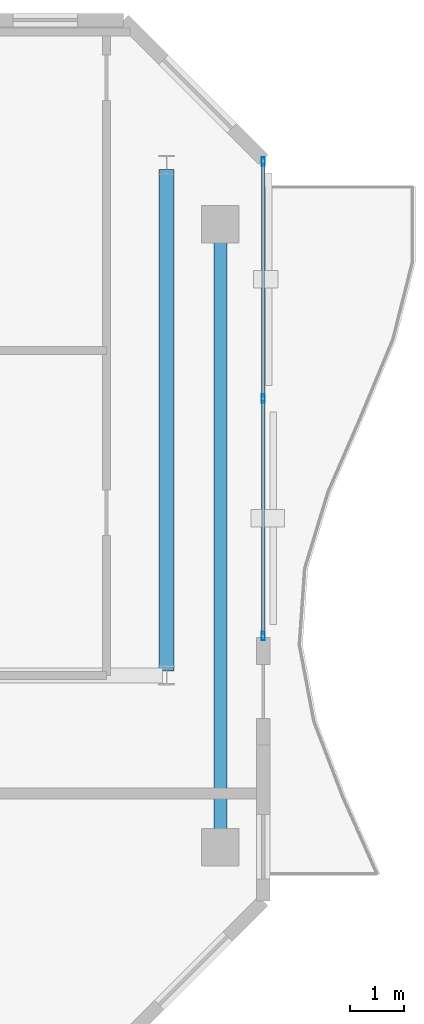
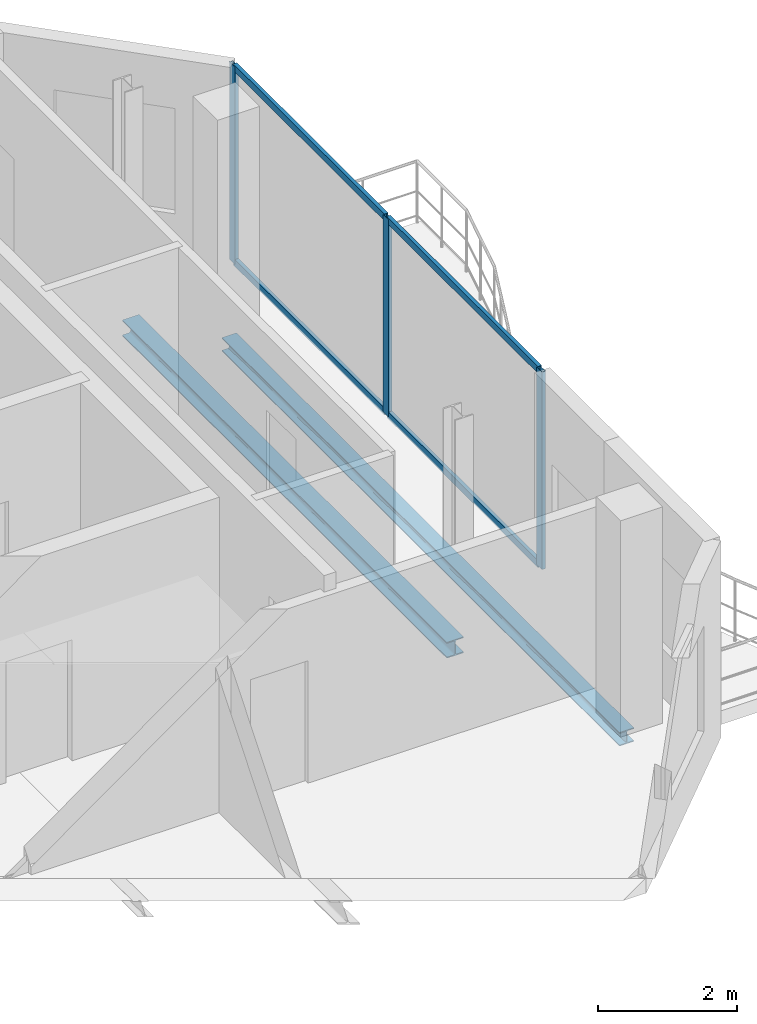
# One storey, part 10 of 16: 7 members, 2 beams, 1 element without a shape of its own.
"""IFC4 building model written with IfcOpenShell, lengths in metres."""

import ifcopenshell
import ifcopenshell.guid

model = None  # the IFC model being written
_history = None  # IfcOwnerHistory: only IFC2X3 demands one
_inside = {}  # id of a spatial element -> (the spatial element, [elements in it])
_under = {}  # id of a project, library or spatial element -> (it, [spatial elements below it])
_declared = {}  # id of a project -> (the project, [libraries it declares])
_typed = {}  # id of a type object -> (the type object, [elements of that type])
_made_of = {}  # id of a material, layer set ... -> (it, [elements and type objects made of it])


def new_model(schema):
    """Start an empty IFC model of exactly this schema.

    Asked for "IFC4X3", IfcOpenShell would pick the latest addendum, in which some entities
    have other attributes; the version numbers below select the first issue.
    IFC2X3 requires an IfcOwnerHistory on every rooted entity: one is made here for all.
    """
    global model, _history
    if schema == "IFC4X3":
        model = ifcopenshell.file(schema_version=(4, 3, 0, 0))
    else:
        model = ifcopenshell.file(schema=schema)
    _inside.clear()
    _under.clear()
    _declared.clear()
    _typed.clear()
    _made_of.clear()
    _history = None
    if model.schema == "IFC2X3":
        org = make("IfcOrganization", Name="unknown")
        user = make(
            "IfcPersonAndOrganization",
            ThePerson=make("IfcPerson", FamilyName="unknown"),
            TheOrganization=org,
        )
        app = make(
            "IfcApplication",
            ApplicationDeveloper=org,
            Version="unknown",
            ApplicationFullName="unknown",
            ApplicationIdentifier="unknown",
        )
        _history = make(
            "IfcOwnerHistory",
            OwningUser=user,
            OwningApplication=app,
            ChangeAction="ADDED",
            CreationDate=0,
        )
    return model


def make(cls, **values):
    """One entity of the class cls with the attributes given. An attribute that is None is left unset."""
    return model.create_entity(
        cls, **{name: value for name, value in values.items() if value is not None}
    )


def rooted(cls, **values):
    """An entity with a GlobalId (a new one), such as an element, a storey or a relation."""
    return make(cls, GlobalId=ifcopenshell.guid.new(), OwnerHistory=_history, **values)


def si_unit(unit_type, name, prefix=None):
    """IfcSIUnit, for example si_unit("LENGTHUNIT", "METRE", prefix="MILLI")."""
    return make("IfcSIUnit", UnitType=unit_type, Prefix=prefix, Name=name)


def assignment(units):
    """IfcUnitAssignment: the units of a project."""
    return None if units is None else make("IfcUnitAssignment", Units=units)


def point(xyz):
    """IfcCartesianPoint."""
    return None if xyz is None else make("IfcCartesianPoint", Coordinates=xyz)


def direction(xyz):
    """IfcDirection."""
    return None if xyz is None else make("IfcDirection", DirectionRatios=xyz)


def frame(location, z_axis=None, x_axis=None):
    """IfcAxis2Placement3D, a coordinate frame: its origin and axes. An axis left out is left unset."""
    return make(
        "IfcAxis2Placement3D",
        Location=point(location),
        Axis=direction(z_axis),
        RefDirection=direction(x_axis),
    )


def frame_2d(location, x_axis=None):
    """IfcAxis2Placement2D, a coordinate frame in the plane: its origin and x axis."""
    return make(
        "IfcAxis2Placement2D", Location=point(location), RefDirection=direction(x_axis)
    )


def origin():
    """The frame at (0, 0, 0) with its axes left unset."""
    return frame((0.0, 0.0, 0.0))


def origin_2d():
    """The frame at (0, 0) in the plane with its x axis left unset."""
    return frame_2d((0.0, 0.0))


def place(relative_to, where):
    """IfcLocalPlacement: puts the frame where relative to a parent placement (None: the world)."""
    return make(
        "IfcLocalPlacement", PlacementRelTo=relative_to, RelativePlacement=where
    )


def context(
    kind, dimensions, precision=None, world=None, true_north=None, identifier=None
):
    """IfcGeometricRepresentationContext, for example the 3D "Model" context."""
    return make(
        "IfcGeometricRepresentationContext",
        ContextIdentifier=identifier,
        ContextType=kind,
        CoordinateSpaceDimension=dimensions,
        Precision=precision,
        WorldCoordinateSystem=world,
        TrueNorth=true_north,
    )


def subcontext(parent, identifier, kind, view, scale=None):
    """IfcGeometricRepresentationSubContext, for example "Body" below "Model"."""
    return make(
        "IfcGeometricRepresentationSubContext",
        ContextIdentifier=identifier,
        ContextType=kind,
        ParentContext=parent,
        TargetScale=scale,
        TargetView=view,
    )


def project(units=None, contexts=None):
    """IfcProject with its units and contexts."""
    return rooted(
        "IfcProject",
        Name="project",
        RepresentationContexts=contexts,
        UnitsInContext=assignment(units),
    )


def spatial(cls, under=None, at=None, **own):
    """A site, building, storey or space (cls), placed at a placement, below another one or the project."""
    s = rooted(cls, ObjectPlacement=at, **own)
    if under is not None:
        _under.setdefault(under.id(), (under, []))[1].append(s)
    return s


def profile(cls, at=None, kind="AREA", **sizes):
    """A parametric profile (cls). Its sizes go by their IFC names, for example OverallWidth=200.0."""
    return make(cls, ProfileType=kind, Position=at, **sizes)


def hollow_rectangle(**sizes):
    """IfcRectangleHollowProfileDef."""
    return profile("IfcRectangleHollowProfileDef", **sizes)


def i_section(**sizes):
    """IfcIShapeProfileDef."""
    return profile("IfcIShapeProfileDef", **sizes)


def extrude(swept, where, along, depth):
    """IfcExtrudedAreaSolid: the profile swept, set in the frame where, extruded along a direction by depth."""
    return make(
        "IfcExtrudedAreaSolid",
        SweptArea=swept,
        Position=where,
        ExtrudedDirection=direction(along),
        Depth=depth,
    )


def shape(context_of_items, identifier, shape_type, items):
    """IfcShapeRepresentation: the items that make up one representation, for example the "Body"."""
    return make(
        "IfcShapeRepresentation",
        ContextOfItems=context_of_items,
        RepresentationIdentifier=identifier,
        RepresentationType=shape_type,
        Items=items,
    )


def material(Name=None, Category=None):
    """IfcMaterial."""
    return make("IfcMaterial", Name=Name, Category=Category)


def layer(
    of_material, thickness, ventilated=None, Name=None, Category=None, Priority=None
):
    """IfcMaterialLayer: one layer of a wall or slab, of a material (None: an air gap)."""
    return make(
        "IfcMaterialLayer",
        Material=of_material,
        LayerThickness=thickness,
        IsVentilated=ventilated,
        Name=Name,
        Category=Category,
        Priority=Priority,
    )


def layer_set(layers, Name=None):
    """IfcMaterialLayerSet."""
    return make("IfcMaterialLayerSet", MaterialLayers=layers, LayerSetName=Name)


def material_profile(
    of_material, cross_section, Name=None, Category=None, Priority=None
):
    """IfcMaterialProfile: a cross section and its material."""
    return make(
        "IfcMaterialProfile",
        Name=Name,
        Material=of_material,
        Profile=cross_section,
        Priority=Priority,
        Category=Category,
    )


def profile_set(profiles, Name=None, composite=None):
    """IfcMaterialProfileSet."""
    return make(
        "IfcMaterialProfileSet",
        Name=Name,
        MaterialProfiles=profiles,
        CompositeProfile=composite,
    )


def made_of(thing, what):
    """Note that an element or type object is made of a material, layer set ...; save() writes the relation."""
    if what is not None:
        _made_of.setdefault(what.id(), (what, []))[1].append(thing)
    return thing


def type_object(cls, material=None, **own):
    """A type object (cls), such as IfcWallType, which elements share."""
    return made_of(rooted(cls, **own), material)


def element(
    cls,
    number,
    at=None,
    inside=None,
    cuts=None,
    type_object=None,
    material=None,
    context=None,
    identifier="Body",
    shape_type=None,
    held_by="IfcProductDefinitionShape",
    body=None,
    shapes=None,
    **own,
):
    """One element of the class cls, such as IfcWall. Its Tag is "e" and its number.

    at: its placement. inside: the storey or other place that contains it. cuts: it is an
    opening in that element (IfcRelVoidsElement). A single representation is given by context,
    identifier, shape_type and body (its items); several are given by shapes. held_by: the class
    of the entity that holds the representations. save() writes the other relations.
    """
    e = rooted(cls, Tag="e%d" % number, ObjectPlacement=at, **own)
    if body is not None:
        shapes = [shape(context, identifier, shape_type, body)]
    if shapes is not None:
        e.Representation = make(held_by, Representations=shapes)
    if inside is not None:
        _inside.setdefault(inside.id(), (inside, []))[1].append(e)
    if cuts is not None:
        rooted(
            "IfcRelVoidsElement", RelatingBuildingElement=cuts, RelatedOpeningElement=e
        )
    if type_object is not None:
        _typed.setdefault(type_object.id(), (type_object, []))[1].append(e)
    return made_of(e, material)


def aggregate(whole, parts):
    """IfcRelAggregates: a whole, such as a stair, and the parts it consists of."""
    return rooted("IfcRelAggregates", RelatingObject=whole, RelatedObjects=parts)


def save(model, path):
    """Write the relations noted so far, then the file.

    IfcRelAggregates (storeys below a building ...), IfcRelContainedInSpatialStructure (elements
    in a storey), IfcRelDefinesByType, IfcRelAssociatesMaterial and IfcRelDeclares: one each for
    every whole, place, type object, material and project.
    """
    for whole, parts in _under.values():
        aggregate(whole, parts)
    for where, things in _inside.values():
        rooted(
            "IfcRelContainedInSpatialStructure",
            RelatedElements=things,
            RelatingStructure=where,
        )
    for kind, things in _typed.values():
        rooted("IfcRelDefinesByType", RelatedObjects=things, RelatingType=kind)
    for what, things in _made_of.values():
        rooted("IfcRelAssociatesMaterial", RelatedObjects=things, RelatingMaterial=what)
    for by, libraries in _declared.values():
        rooted("IfcRelDeclares", RelatingContext=by, RelatedDefinitions=libraries)
    model.write(path)


model = new_model("IFC4")

# Units and contexts
model_context = context("Model", 3, precision=1e-05, world=origin(), true_north=direction((0.0, 1.0)))
body_context = subcontext(model_context, "Body", "Model", "MODEL_VIEW")
ifc_project = project(units=[si_unit("LENGTHUNIT", "METRE"), si_unit("AREAUNIT", "SQUARE_METRE"), si_unit("VOLUMEUNIT", "CUBIC_METRE"), si_unit("PLANEANGLEUNIT", "RADIAN"), si_unit("MASSUNIT", "GRAM", prefix="KILO")], contexts=[model_context])

# Site, building, storey
site_placement = place(None, origin())
site = spatial("IfcSite", under=ifc_project, at=site_placement, CompositionType="ELEMENT")
building_placement = place(site_placement, origin())
building = spatial("IfcBuilding", under=site, at=building_placement, Name="Catumbela Crestline Tower", CompositionType="ELEMENT")
storey_placement = place(building_placement, frame((0.0, 0.0, 286.8)))
storey = spatial("IfcBuildingStorey", under=building, at=storey_placement, Name="L74", CompositionType="ELEMENT", Elevation=286.8)

# Beam
ifc_material_1 = material(Name="Structural steel S355J2", Category="steel")
ifc_material_profile_1 = material_profile(ifc_material_1, i_section(OverallWidth=0.28, OverallDepth=0.28, WebThickness=0.0105, FlangeThickness=0.018, FilletRadius=0.024, at=origin_2d()), Name="HEB 280")
ifc_profile_set_1 = profile_set([ifc_material_profile_1], Name="Structural steel S355J2")
beam_type_1 = type_object("IfcBeamType", Name="BG-HEB280", PredefinedType="BEAM", material=ifc_profile_set_1)
beam_1_placement = place(storey_placement, frame((44.2, 30.88, -0.4), z_axis=(0.0, 1.0, 0.0), x_axis=(-1.0, 0.0, 0.0)))
element("IfcBeam", 1, at=beam_1_placement, inside=storey, type_object=beam_type_1, Name="L74 Beam BM-L74-SN10", PredefinedType="BEAM", context=body_context, shape_type="SweptSolid", body=[
    extrude(i_section(OverallWidth=0.28, OverallDepth=0.28, WebThickness=0.0105, FlangeThickness=0.018, FilletRadius=0.024, at=origin_2d()), origin(), (0.0, 0.0, 1.0), 9.34),
])

# Curtain wall, members
ifc_material_2 = material(Name="Aluminium alloy AW-6060-T66", Category="aluminium")
ifc_layer = layer(ifc_material_2, 0.18, Name="Aluminium alloy AW-6060-T66")
ifc_layer_set = layer_set([ifc_layer], Name="Aluminium alloy AW-6060-T66")
curtain_wall_type = type_object("IfcCurtainWallType", Name="CWU-Z4", PredefinedType="USERDEFINED", material=ifc_layer_set)
curtain_wall_placement = place(storey_placement, origin())
curtain_wall = element("IfcCurtainWall", 2, at=curtain_wall_placement, inside=storey, type_object=curtain_wall_type, Name="L74 Unitised Curtain Wall CW-L74-E5S2", ObjectType="UNITISED", PredefinedType="USERDEFINED")
ifc_material_profile_2 = material_profile(ifc_material_2, hollow_rectangle(XDim=0.06, YDim=0.16, WallThickness=0.004, at=origin_2d()), Name="ALU 160x60x4")
ifc_profile_set_2 = profile_set([ifc_material_profile_2], Name="Aluminium alloy AW-6060-T66")
member_type_1 = type_object("IfcMemberType", Name="MUL-160X60", PredefinedType="MULLION", material=ifc_profile_set_2)
member_1_placement = place(storey_placement, frame((46.0, 31.5325, 0.0), z_axis=(0.0, 0.0, 1.0), x_axis=(-1.0, 0.0, 0.0)))
member_1 = element("IfcMember", 3, at=member_1_placement, type_object=member_type_1, Name="CWU-Z4 mullion 1", PredefinedType="MULLION", context=body_context, shape_type="SweptSolid", body=[
    extrude(hollow_rectangle(XDim=0.06, YDim=0.16, WallThickness=0.004, at=origin_2d()), origin(), (0.0, 0.0, 1.0), 3.47),
])
member_2_placement = place(storey_placement, frame((46.0, 35.95, 0.0), z_axis=(0.0, 0.0, 1.0), x_axis=(-1.0, 0.0, 0.0)))
member_2 = element("IfcMember", 4, at=member_2_placement, type_object=member_type_1, Name="CWU-Z4 mullion 2", PredefinedType="MULLION", context=body_context, shape_type="SweptSolid", body=[
    extrude(hollow_rectangle(XDim=0.06, YDim=0.16, WallThickness=0.004, at=origin_2d()), origin(), (0.0, 0.0, 1.0), 3.47),
])
member_3_placement = place(storey_placement, frame((46.0, 40.3675, 0.0), z_axis=(0.0, 0.0, 1.0), x_axis=(-1.0, 0.0, 0.0)))
member_3 = element("IfcMember", 5, at=member_3_placement, type_object=member_type_1, Name="CWU-Z4 mullion 3", PredefinedType="MULLION", context=body_context, shape_type="SweptSolid", body=[
    extrude(hollow_rectangle(XDim=0.06, YDim=0.16, WallThickness=0.004, at=origin_2d()), origin(), (0.0, 0.0, 1.0), 3.47),
])

# Beam
ifc_material_profile_3 = material_profile(ifc_material_1, i_section(OverallWidth=0.24, OverallDepth=0.24, WebThickness=0.01, FlangeThickness=0.017, FilletRadius=0.021, at=origin_2d()), Name="HEB 240")
ifc_profile_set_3 = profile_set([ifc_material_profile_3], Name="Structural steel S355J2")
beam_type_2 = type_object("IfcBeamType", Name="BS-HEB240", PredefinedType="SPANDREL", material=ifc_profile_set_3)
beam_2_placement = place(storey_placement, frame((45.2, 27.68, -0.38), z_axis=(0.0, 1.0, 0.0), x_axis=(-1.0, 0.0, 0.0)))
element("IfcBeam", 6, at=beam_2_placement, inside=storey, type_object=beam_type_2, Name="L74 Spandrel SP-L74-SN11", PredefinedType="SPANDREL", context=body_context, shape_type="SweptSolid", body=[
    extrude(i_section(OverallWidth=0.24, OverallDepth=0.24, WebThickness=0.01, FlangeThickness=0.017, FilletRadius=0.021, at=origin_2d()), origin(), (0.0, 0.0, 1.0), 11.44),
])

# Member
ifc_material_profile_4 = material_profile(ifc_material_2, hollow_rectangle(XDim=0.06, YDim=0.12, WallThickness=0.0035, at=origin_2d()), Name="ALU 120x60x3.5")
ifc_profile_set_4 = profile_set([ifc_material_profile_4], Name="Aluminium alloy AW-6060-T66")
member_type_2 = type_object("IfcMemberType", Name="TRN-120X60", PredefinedType="USERDEFINED", material=ifc_profile_set_4)
member_4_placement = place(storey_placement, frame((46.0, 31.565, 0.03), z_axis=(0.0, 1.0, 0.0), x_axis=(-1.0, 0.0, 0.0)))
member_4 = element("IfcMember", 7, at=member_4_placement, type_object=member_type_2, Name="CWU-Z4 transom 1.1", ObjectType="TRANSOM", PredefinedType="USERDEFINED", context=body_context, shape_type="SweptSolid", body=[
    extrude(hollow_rectangle(XDim=0.06, YDim=0.12, WallThickness=0.0035, at=origin_2d()), origin(), (0.0, 0.0, 1.0), 4.3525),
])

member_5_placement = place(storey_placement, frame((46.0, 31.565, 3.44), z_axis=(0.0, 1.0, 0.0), x_axis=(-1.0, 0.0, 0.0)))
member_5 = element("IfcMember", 8, at=member_5_placement, type_object=member_type_2, Name="CWU-Z4 transom 1.2", ObjectType="TRANSOM", PredefinedType="USERDEFINED", context=body_context, shape_type="SweptSolid", body=[
    extrude(hollow_rectangle(XDim=0.06, YDim=0.12, WallThickness=0.0035, at=origin_2d()), origin(), (0.0, 0.0, 1.0), 4.3525),
])

member_6_placement = place(storey_placement, frame((46.0, 35.9825, 0.03), z_axis=(0.0, 1.0, 0.0), x_axis=(-1.0, 0.0, 0.0)))
member_6 = element("IfcMember", 9, at=member_6_placement, type_object=member_type_2, Name="CWU-Z4 transom 2.1", ObjectType="TRANSOM", PredefinedType="USERDEFINED", context=body_context, shape_type="SweptSolid", body=[
    extrude(hollow_rectangle(XDim=0.06, YDim=0.12, WallThickness=0.0035, at=origin_2d()), origin(), (0.0, 0.0, 1.0), 4.3525),
])

member_7_placement = place(storey_placement, frame((46.0, 35.9825, 3.44), z_axis=(0.0, 1.0, 0.0), x_axis=(-1.0, 0.0, 0.0)))
member_7 = element("IfcMember", 10, at=member_7_placement, type_object=member_type_2, Name="CWU-Z4 transom 2.2", ObjectType="TRANSOM", PredefinedType="USERDEFINED", context=body_context, shape_type="SweptSolid", body=[
    extrude(hollow_rectangle(XDim=0.06, YDim=0.12, WallThickness=0.0035, at=origin_2d()), origin(), (0.0, 0.0, 1.0), 4.3525),
])

aggregate(curtain_wall, [member_1, member_2, member_3, member_4, member_5, member_6, member_7])

save(model, "model.ifc")
